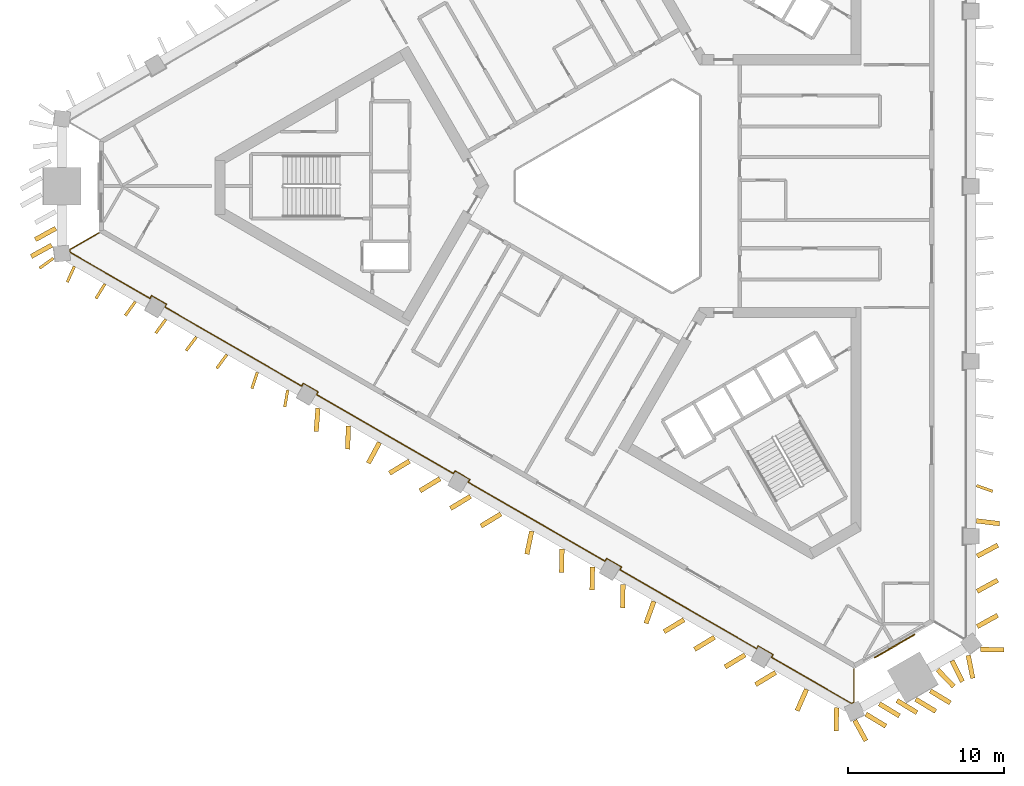
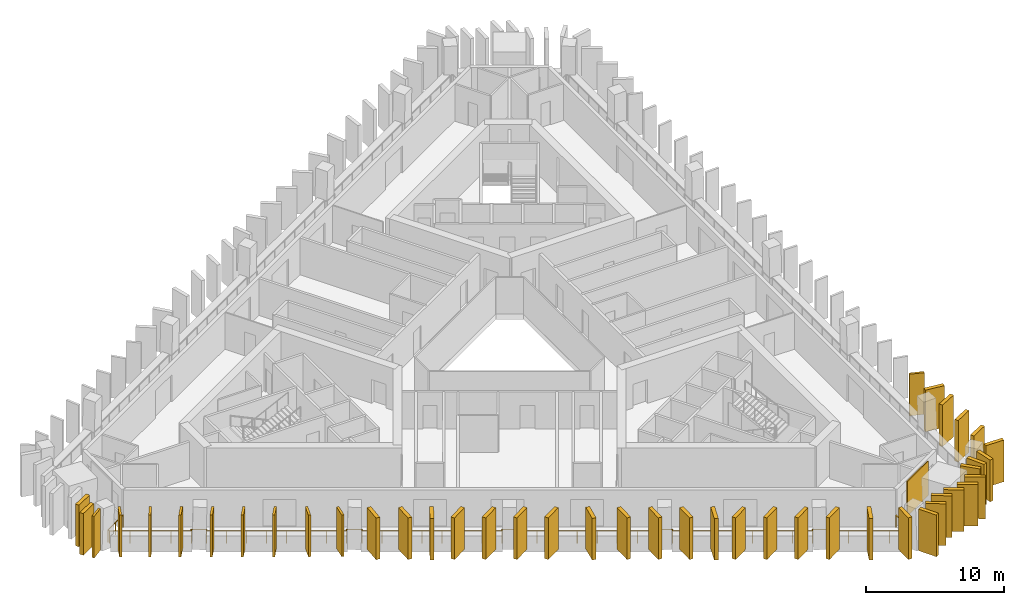
# One storey, part 8 of 11: 44 shading devices, 1 covering, 1 railing.
"""IFC4 building model written with IfcOpenShell, lengths in metres."""

from ifc_helpers import new_model, si_unit, direction, frame, frame_2d, origin, origin_2d, place, context, subcontext, project, spatial, rectangle, circle, extrude, material, layer, layer_set, type_object, element, save


model = new_model("IFC4")

# Units and contexts
model_context = context("Model", 3, precision=1e-05, world=origin(), true_north=direction((0.0, 1.0)))
body_context = subcontext(model_context, "Body", "Model", "MODEL_VIEW")
ifc_project = project(units=[si_unit("LENGTHUNIT", "METRE"), si_unit("AREAUNIT", "SQUARE_METRE"), si_unit("VOLUMEUNIT", "CUBIC_METRE"), si_unit("PLANEANGLEUNIT", "RADIAN"), si_unit("MASSUNIT", "GRAM", prefix="KILO")], contexts=[model_context])

# Site, building, storey
site_placement = place(None, origin())
site = spatial("IfcSite", under=ifc_project, at=site_placement, CompositionType="ELEMENT")
building_placement = place(site_placement, origin())
building = spatial("IfcBuilding", under=site, at=building_placement, Name="Jabali Bay Hotel Tower and Convention Centre", CompositionType="ELEMENT")
storey_placement = place(building_placement, frame((0.0, 0.0, 132.699951171875)))
storey = spatial("IfcBuildingStorey", under=building, at=storey_placement, Name="L32", CompositionType="ELEMENT", Elevation=132.699951171875)

# Railing
ifc_material_1 = material(Name="Glass", Category="glass")
railing_type = type_object("IfcRailingType", Name="Loggia glass guard 1100", PredefinedType="BALUSTRADE", material=ifc_material_1)
railing_placement = place(storey_placement, frame((89.426513671875, 49.008056640625, 0.0)))
element("IfcRailing", 1, at=railing_placement, inside=storey, type_object=railing_type, Name="Loggia glass guard L32", PredefinedType="BALUSTRADE", context=body_context, shape_type="SweptSolid", body=[
    extrude(circle(Radius=0.02490234375, at=origin_2d()), frame((0.0, 0.0, 1.0751953125), z_axis=(0.0, -1.0, 0.0), x_axis=(0.991444861374, 0.0, 0.13052619222)), (0.0, 0.0, 1.0), 2.165283203125),
    extrude(circle(Radius=0.02490234375, at=origin_2d()), frame((0.0, -2.165283203125, 1.0751953125), z_axis=(-0.918657809016, -0.395054211386, 0.0), x_axis=(0.391674467843, -0.91079856411, 0.13052619222)), (0.0, 0.0, 1.0), 0.15576171875),
    extrude(circle(Radius=0.02490234375, at=origin_2d()), frame((-0.14306640625, -2.226806640625, 1.0751953125), z_axis=(-0.866028835743, 0.499994055626, 0.0), x_axis=(-0.495716537168, -0.858619838999, 0.13052619222)), (0.0, 0.0, 1.0), 5.939453125),
    extrude(circle(Radius=0.02490234375, at=origin_2d()), frame((-5.286865234375, 0.742919921875, 1.0751953125), z_axis=(0.499158860599, 0.866510491504, 0.0), x_axis=(-0.859097374128, 0.49488848735, 0.13052619222)), (0.0, 0.0, 1.0), 0.199951171875),
    extrude(circle(Radius=0.02490234375, at=origin_2d()), frame((-5.18701171875, 0.916259765625, 1.0751953125), z_axis=(-0.866104278045, 0.499863360881, 0.0), x_axis=(-0.495586960535, -0.858694635882, 0.13052619222)), (0.0, 0.0, 1.0), 1.099853515625),
    extrude(circle(Radius=0.02490234375, at=origin_2d()), frame((-6.1396484375, 1.466064453125, 1.0751953125), z_axis=(-0.499687197852, -0.866205924883, 0.0), x_axis=(0.858795413117, -0.495412304605, 0.13052619222)), (0.0, 0.0, 1.0), 0.199951171875),
    extrude(circle(Radius=0.02490234375, at=origin_2d()), frame((-6.239501953125, 1.29296875, 1.0751953125), z_axis=(-0.866020472551, 0.500008541049, 0.0), x_axis=(-0.495730898666, -0.858611547355, 0.13052619222)), (0.0, 0.0, 1.0), 10.144775390625),
    extrude(circle(Radius=0.02490234375, at=origin_2d()), frame((-15.025146484375, 6.365478515625, 1.0751953125), z_axis=(0.499687197852, 0.866205924883, 0.0), x_axis=(-0.858795413117, 0.495412304605, 0.13052619222)), (0.0, 0.0, 1.0), 0.199951171875),
    extrude(circle(Radius=0.02490234375, at=origin_2d()), frame((-14.92529296875, 6.53857421875, 1.0751953125), z_axis=(-0.866008176907, 0.50002983664, 0.0), x_axis=(-0.495752012071, -0.858599356902, 0.13052619222)), (0.0, 0.0, 1.0), 1.10009765625),
    extrude(circle(Radius=0.02490234375, at=origin_2d()), frame((-15.8779296875, 7.088623046875, 1.0751953125), z_axis=(-0.499158860599, -0.866510491504, 0.0), x_axis=(0.859097374128, -0.49488848735, 0.13052619222)), (0.0, 0.0, 1.0), 0.199951171875),
    extrude(circle(Radius=0.02490234375, at=origin_2d()), frame((-15.977783203125, 6.915283203125, 1.0751953125), z_axis=(-0.866020472551, 0.500008541049, 0.0), x_axis=(-0.495730898666, -0.858611547355, 0.13052619222)), (0.0, 0.0, 1.0), 10.144775390625),
    extrude(circle(Radius=0.02490234375, at=origin_2d()), frame((-24.763427734375, 11.98779296875, 1.0751953125), z_axis=(0.499687197852, 0.866205924883, 0.0), x_axis=(-0.858795413117, 0.495412304605, 0.13052619222)), (0.0, 0.0, 1.0), 0.199951171875),
    extrude(circle(Radius=0.02490234375, at=origin_2d()), frame((-24.66357421875, 12.160888671875, 1.0751953125), z_axis=(-0.866008176907, 0.50002983664, 0.0), x_axis=(-0.495752012071, -0.858599356902, 0.13052619222)), (0.0, 0.0, 1.0), 1.10009765625),
    extrude(circle(Radius=0.02490234375, at=origin_2d()), frame((-25.6162109375, 12.7109375, 1.0751953125), z_axis=(-0.499687197852, -0.866205924883, 0.0), x_axis=(0.858795413117, -0.495412304605, 0.13052619222)), (0.0, 0.0, 1.0), 0.199951171875),
    extrude(circle(Radius=0.02490234375, at=origin_2d()), frame((-25.716064453125, 12.537841796875, 1.0751953125), z_axis=(-0.866030893267, 0.499990491817, 0.0), x_axis=(-0.495713003847, -0.858621878921, 0.13052619222)), (0.0, 0.0, 1.0), 10.144775390625),
    extrude(circle(Radius=0.02490234375, at=origin_2d()), frame((-34.501708984375, 17.610107421875, 1.0751953125), z_axis=(0.499158860599, 0.866510491504, 0.0), x_axis=(-0.859097374128, 0.49488848735, 0.13052619222)), (0.0, 0.0, 1.0), 0.199951171875),
    extrude(circle(Radius=0.02490234375, at=origin_2d()), frame((-34.40185546875, 17.783447265625, 1.0751953125), z_axis=(-0.866104278045, 0.499863360881, 0.0), x_axis=(-0.495586960535, -0.858694635882, 0.13052619222)), (0.0, 0.0, 1.0), 1.099853515625),
    extrude(circle(Radius=0.02490234375, at=origin_2d()), frame((-35.3544921875, 18.333251953125, 1.0751953125), z_axis=(-0.499687197852, -0.866205924883, 0.0), x_axis=(0.858795413117, -0.495412304605, 0.13052619222)), (0.0, 0.0, 1.0), 0.199951171875),
    extrude(circle(Radius=0.02490234375, at=origin_2d()), frame((-35.454345703125, 18.16015625, 1.0751953125), z_axis=(-0.866020472551, 0.500008541049, 0.0), x_axis=(-0.495730898666, -0.858611547355, 0.13052619222)), (0.0, 0.0, 1.0), 10.144775390625),
    extrude(circle(Radius=0.02490234375, at=origin_2d()), frame((-44.239990234375, 23.232666015625, 1.0751953125), z_axis=(0.499687197852, 0.866205924883, 0.0), x_axis=(-0.858795413117, 0.495412304605, 0.13052619222)), (0.0, 0.0, 1.0), 0.199951171875),
    extrude(circle(Radius=0.02490234375, at=origin_2d()), frame((-44.14013671875, 23.40576171875, 1.0751953125), z_axis=(-0.866008176907, 0.50002983664, 0.0), x_axis=(-0.495752012071, -0.858599356902, 0.13052619222)), (0.0, 0.0, 1.0), 1.10009765625),
    extrude(circle(Radius=0.02490234375, at=origin_2d()), frame((-45.0927734375, 23.955810546875, 1.0751953125), z_axis=(-0.499158860599, -0.866510491504, 0.0), x_axis=(0.859097374128, -0.49488848735, 0.13052619222)), (0.0, 0.0, 1.0), 0.199951171875),
    extrude(circle(Radius=0.02490234375, at=origin_2d()), frame((-45.192626953125, 23.782470703125, 1.0751953125), z_axis=(-0.866011036969, 0.500024883228, 0.0), x_axis=(-0.495747101036, -0.858602192496, 0.13052619222)), (0.0, 0.0, 1.0), 5.939697265625),
    extrude(circle(Radius=0.02490234375, at=origin_2d()), frame((-50.33642578125, 26.75244140625, 1.0751953125), z_axis=(-0.117660413428, 0.993053889329, 0.0), x_axis=(-0.984558175643, -0.11665381228, 0.13052619222)), (0.0, 0.0, 1.0), 0.155517578125),
    extrude(circle(Radius=0.02490234375, at=origin_2d()), frame((-50.354736328125, 26.906982421875, 1.0751953125), z_axis=(0.866007213464, 0.500031505235, 0.0), x_axis=(-0.495753666391, 0.858598401702, 0.13052619222)), (0.0, 0.0, 1.0), 2.165283203125),
    extrude(circle(Radius=0.02001953125, at=origin_2d()), origin(), (0.0, 0.0, 1.0), 1.050048828125),
    extrude(circle(Radius=0.02001953125, at=origin_2d()), frame((0.0, -1.08251953125, 0.0)), (0.0, 0.0, 1.0), 1.050048828125),
    extrude(circle(Radius=0.02001953125, at=origin_2d()), frame((0.0, -2.165283203125, 0.0)), (0.0, 0.0, 1.0), 1.050048828125),
    extrude(circle(Radius=0.02001953125, at=origin_2d()), frame((-0.14306640625, -2.226806640625, 0.0)), (0.0, 0.0, 1.0), 1.050048828125),
    extrude(circle(Radius=0.02001953125, at=origin_2d()), frame((-1.428955078125, -1.484375, 0.0)), (0.0, 0.0, 1.0), 1.050048828125),
    extrude(circle(Radius=0.02001953125, at=origin_2d()), frame((-2.71484375, -0.741943359375, 0.0)), (0.0, 0.0, 1.0), 1.050048828125),
    extrude(circle(Radius=0.02001953125, at=origin_2d()), frame((-4.0009765625, 0.00048828125, 0.0)), (0.0, 0.0, 1.0), 1.050048828125),
    extrude(circle(Radius=0.02001953125, at=origin_2d()), frame((-5.286865234375, 0.742919921875, 0.0)), (0.0, 0.0, 1.0), 1.050048828125),
    extrude(circle(Radius=0.02001953125, at=origin_2d()), frame((-5.18701171875, 0.916259765625, 0.0)), (0.0, 0.0, 1.0), 1.050048828125),
    extrude(circle(Radius=0.02001953125, at=origin_2d()), frame((-6.1396484375, 1.466064453125, 0.0)), (0.0, 0.0, 1.0), 1.050048828125),
    extrude(circle(Radius=0.02001953125, at=origin_2d()), frame((-6.239501953125, 1.29296875, 0.0)), (0.0, 0.0, 1.0), 1.050048828125),
    extrude(circle(Radius=0.02001953125, at=origin_2d()), frame((-7.49462890625, 2.017578125, 0.0)), (0.0, 0.0, 1.0), 1.050048828125),
    extrude(circle(Radius=0.02001953125, at=origin_2d()), frame((-8.749755859375, 2.7421875, 0.0)), (0.0, 0.0, 1.0), 1.050048828125),
    extrude(circle(Radius=0.02001953125, at=origin_2d()), frame((-10.0048828125, 3.466796875, 0.0)), (0.0, 0.0, 1.0), 1.050048828125),
    extrude(circle(Radius=0.02001953125, at=origin_2d()), frame((-11.259765625, 4.191650390625, 0.0)), (0.0, 0.0, 1.0), 1.050048828125),
    extrude(circle(Radius=0.02001953125, at=origin_2d()), frame((-12.514892578125, 4.916259765625, 0.0)), (0.0, 0.0, 1.0), 1.050048828125),
    extrude(circle(Radius=0.02001953125, at=origin_2d()), frame((-13.77001953125, 5.640869140625, 0.0)), (0.0, 0.0, 1.0), 1.050048828125),
    extrude(circle(Radius=0.02001953125, at=origin_2d()), frame((-15.025146484375, 6.365478515625, 0.0)), (0.0, 0.0, 1.0), 1.050048828125),
    extrude(circle(Radius=0.02001953125, at=origin_2d()), frame((-14.92529296875, 6.53857421875, 0.0)), (0.0, 0.0, 1.0), 1.050048828125),
    extrude(circle(Radius=0.02001953125, at=origin_2d()), frame((-15.8779296875, 7.088623046875, 0.0)), (0.0, 0.0, 1.0), 1.050048828125),
    extrude(circle(Radius=0.02001953125, at=origin_2d()), frame((-15.977783203125, 6.915283203125, 0.0)), (0.0, 0.0, 1.0), 1.050048828125),
    extrude(circle(Radius=0.02001953125, at=origin_2d()), frame((-17.23291015625, 7.639892578125, 0.0)), (0.0, 0.0, 1.0), 1.050048828125),
    extrude(circle(Radius=0.02001953125, at=origin_2d()), frame((-18.488037109375, 8.364501953125, 0.0)), (0.0, 0.0, 1.0), 1.050048828125),
    extrude(circle(Radius=0.02001953125, at=origin_2d()), frame((-19.7431640625, 9.089111328125, 0.0)), (0.0, 0.0, 1.0), 1.050048828125),
    extrude(circle(Radius=0.02001953125, at=origin_2d()), frame((-20.998046875, 9.81396484375, 0.0)), (0.0, 0.0, 1.0), 1.050048828125),
    extrude(circle(Radius=0.02001953125, at=origin_2d()), frame((-22.253173828125, 10.53857421875, 0.0)), (0.0, 0.0, 1.0), 1.050048828125),
    extrude(circle(Radius=0.02001953125, at=origin_2d()), frame((-23.50830078125, 11.26318359375, 0.0)), (0.0, 0.0, 1.0), 1.050048828125),
    extrude(circle(Radius=0.02001953125, at=origin_2d()), frame((-24.763427734375, 11.98779296875, 0.0)), (0.0, 0.0, 1.0), 1.050048828125),
    extrude(circle(Radius=0.02001953125, at=origin_2d()), frame((-24.66357421875, 12.160888671875, 0.0)), (0.0, 0.0, 1.0), 1.050048828125),
    extrude(circle(Radius=0.02001953125, at=origin_2d()), frame((-25.6162109375, 12.7109375, 0.0)), (0.0, 0.0, 1.0), 1.050048828125),
    extrude(circle(Radius=0.02001953125, at=origin_2d()), frame((-25.716064453125, 12.537841796875, 0.0)), (0.0, 0.0, 1.0), 1.050048828125),
    extrude(circle(Radius=0.02001953125, at=origin_2d()), frame((-26.97119140625, 13.262451171875, 0.0)), (0.0, 0.0, 1.0), 1.050048828125),
    extrude(circle(Radius=0.02001953125, at=origin_2d()), frame((-28.226318359375, 13.987060546875, 0.0)), (0.0, 0.0, 1.0), 1.050048828125),
    extrude(circle(Radius=0.02001953125, at=origin_2d()), frame((-29.4814453125, 14.711669921875, 0.0)), (0.0, 0.0, 1.0), 1.050048828125),
    extrude(circle(Radius=0.02001953125, at=origin_2d()), frame((-30.736328125, 15.436279296875, 0.0)), (0.0, 0.0, 1.0), 1.050048828125),
    extrude(circle(Radius=0.02001953125, at=origin_2d()), frame((-31.991455078125, 16.160888671875, 0.0)), (0.0, 0.0, 1.0), 1.050048828125),
    extrude(circle(Radius=0.02001953125, at=origin_2d()), frame((-33.24658203125, 16.885498046875, 0.0)), (0.0, 0.0, 1.0), 1.050048828125),
    extrude(circle(Radius=0.02001953125, at=origin_2d()), frame((-34.501708984375, 17.610107421875, 0.0)), (0.0, 0.0, 1.0), 1.050048828125),
    extrude(circle(Radius=0.02001953125, at=origin_2d()), frame((-34.40185546875, 17.783447265625, 0.0)), (0.0, 0.0, 1.0), 1.050048828125),
    extrude(circle(Radius=0.02001953125, at=origin_2d()), frame((-35.3544921875, 18.333251953125, 0.0)), (0.0, 0.0, 1.0), 1.050048828125),
    extrude(circle(Radius=0.02001953125, at=origin_2d()), frame((-35.454345703125, 18.16015625, 0.0)), (0.0, 0.0, 1.0), 1.050048828125),
    extrude(circle(Radius=0.02001953125, at=origin_2d()), frame((-36.70947265625, 18.884765625, 0.0)), (0.0, 0.0, 1.0), 1.050048828125),
    extrude(circle(Radius=0.02001953125, at=origin_2d()), frame((-37.964599609375, 19.609375, 0.0)), (0.0, 0.0, 1.0), 1.050048828125),
    extrude(circle(Radius=0.02001953125, at=origin_2d()), frame((-39.2197265625, 20.333984375, 0.0)), (0.0, 0.0, 1.0), 1.050048828125),
    extrude(circle(Radius=0.02001953125, at=origin_2d()), frame((-40.474609375, 21.058837890625, 0.0)), (0.0, 0.0, 1.0), 1.050048828125),
    extrude(circle(Radius=0.02001953125, at=origin_2d()), frame((-41.729736328125, 21.783447265625, 0.0)), (0.0, 0.0, 1.0), 1.050048828125),
    extrude(circle(Radius=0.02001953125, at=origin_2d()), frame((-42.98486328125, 22.508056640625, 0.0)), (0.0, 0.0, 1.0), 1.050048828125),
    extrude(circle(Radius=0.02001953125, at=origin_2d()), frame((-44.239990234375, 23.232666015625, 0.0)), (0.0, 0.0, 1.0), 1.050048828125),
    extrude(circle(Radius=0.02001953125, at=origin_2d()), frame((-44.14013671875, 23.40576171875, 0.0)), (0.0, 0.0, 1.0), 1.050048828125),
    extrude(circle(Radius=0.02001953125, at=origin_2d()), frame((-45.0927734375, 23.955810546875, 0.0)), (0.0, 0.0, 1.0), 1.050048828125),
    extrude(circle(Radius=0.02001953125, at=origin_2d()), frame((-45.192626953125, 23.782470703125, 0.0)), (0.0, 0.0, 1.0), 1.050048828125),
    extrude(circle(Radius=0.02001953125, at=origin_2d()), frame((-46.478515625, 24.52490234375, 0.0)), (0.0, 0.0, 1.0), 1.050048828125),
    extrude(circle(Radius=0.02001953125, at=origin_2d()), frame((-47.7646484375, 25.267578125, 0.0)), (0.0, 0.0, 1.0), 1.050048828125),
    extrude(circle(Radius=0.02001953125, at=origin_2d()), frame((-49.050537109375, 26.010009765625, 0.0)), (0.0, 0.0, 1.0), 1.050048828125),
    extrude(circle(Radius=0.02001953125, at=origin_2d()), frame((-50.33642578125, 26.75244140625, 0.0)), (0.0, 0.0, 1.0), 1.050048828125),
    extrude(circle(Radius=0.02001953125, at=origin_2d()), frame((-50.354736328125, 26.906982421875, 0.0)), (0.0, 0.0, 1.0), 1.050048828125),
    extrude(circle(Radius=0.02001953125, at=origin_2d()), frame((-49.4169921875, 27.4482421875, 0.0)), (0.0, 0.0, 1.0), 1.050048828125),
    extrude(circle(Radius=0.02001953125, at=origin_2d()), frame((-48.4794921875, 27.98974609375, 0.0)), (0.0, 0.0, 1.0), 1.050048828125),
])

# Shading devices
ifc_material_2 = material(Name="Precast concrete C60", Category="concrete")
ifc_layer_1 = layer(ifc_material_2, 0.179931640625)
ifc_layer_set_1 = layer_set([ifc_layer_1], Name="Precast concrete C60")
shading_device_type_1 = type_object("IfcShadingDeviceType", Name="Precast fin 3680 x 1100", PredefinedType="USERDEFINED", material=ifc_layer_set_1)
shading_device_1_placement = place(storey_placement, frame((97.299072265625, 60.774169921875, 0.010009765625), z_axis=(0.0, 0.0, 1.0), x_axis=(0.942941147741, -0.332959444824, 0.0)))
element("IfcShadingDevice", 2, at=shading_device_1_placement, inside=storey, type_object=shading_device_type_1, Name="Fin L32 004", ObjectType="FIN", PredefinedType="USERDEFINED", context=body_context, shape_type="SweptSolid", body=[
    extrude(rectangle(XDim=1.099853515625, YDim=0.179931640625, at=frame_2d((0.5498046875, 0.0))), origin(), (0.0, 0.0, 1.0), 3.679931640625),
])
for number, where, z_axis, x_axis, name in (
    (3, (39.37548828125, 74.84326171875, 0.010009765625), (0.0, 0.0, 1.0), (-0.409450935536, -0.912332138746, 0.0), "Fin L32 068"),
    (4, (41.337890625, 73.71826171875, 0.010009765625), (0.0, 0.0, 1.0), (-0.522015481501, -0.852936009952, 0.0), "Fin L32 069"),
    (5, (43.293212890625, 72.581298828125, 0.010009765625), (0.0, 0.0, 1.0), (-0.586745724409, -0.809771236145, 0.0), "Fin L32 070"),
):
    element("IfcShadingDevice", number, at=place(storey_placement, frame(where, z_axis=z_axis, x_axis=x_axis)), inside=storey, type_object=shading_device_type_1, Name=name, ObjectType="FIN", PredefinedType="USERDEFINED", context=body_context, shape_type="SweptSolid", body=[
        extrude(rectangle(XDim=1.10009765625, YDim=0.179931640625, at=frame_2d((0.550048828125, 0.0))), origin(), (0.0, 0.0, 1.0), 3.679931640625),
    ])
shading_device_2_placement = place(storey_placement, frame((45.251708984375, 71.449951171875, 0.010009765625), z_axis=(0.0, 0.0, 1.0), x_axis=(-0.589543444377, -0.807736669461, 0.0)))
element("IfcShadingDevice", 6, at=shading_device_2_placement, inside=storey, type_object=shading_device_type_1, Name="Fin L32 071", ObjectType="FIN", PredefinedType="USERDEFINED", context=body_context, shape_type="SweptSolid", body=[
    extrude(rectangle(XDim=1.099853515625, YDim=0.179931640625, at=frame_2d((0.5498046875, 0.0))), origin(), (0.0, 0.0, 1.0), 3.679931640625),
])
shading_device_3_placement = place(storey_placement, frame((47.210205078125, 70.318359375, 0.010009765625), z_axis=(0.0, 0.0, 1.0), x_axis=(-0.597618413137, -0.801780663448, 0.0)))
element("IfcShadingDevice", 7, at=shading_device_3_placement, inside=storey, type_object=shading_device_type_1, Name="Fin L32 072", ObjectType="FIN", PredefinedType="USERDEFINED", context=body_context, shape_type="SweptSolid", body=[
    extrude(rectangle(XDim=1.10009765625, YDim=0.179931640625, at=frame_2d((0.550048828125, 0.0))), origin(), (0.0, 0.0, 1.0), 3.679931640625),
])
for number, where, z_axis, x_axis, name in (
    (8, (49.16943359375, 69.18798828125, 0.010009765625), (0.0, 0.0, 1.0), (-0.590189091773, -0.807265034516, 0.0), "Fin L32 073"),
    (9, (51.1240234375, 68.049560546875, 0.010009765625), (0.0, 0.0, 1.0), (-0.312963089043, -0.949765289372, 0.0), "Fin L32 074"),
    (10, (53.07666015625, 66.907958984375, 0.010009765625), (0.0, 0.0, 1.0), (-0.174684283049, -0.984624497591, 0.0), "Fin L32 075"),
):
    element("IfcShadingDevice", number, at=place(storey_placement, frame(where, z_axis=z_axis, x_axis=x_axis)), inside=storey, type_object=shading_device_type_1, Name=name, ObjectType="FIN", PredefinedType="USERDEFINED", context=body_context, shape_type="SweptSolid", body=[
        extrude(rectangle(XDim=1.099853515625, YDim=0.179931640625, at=frame_2d((0.5498046875, 0.0))), origin(), (0.0, 0.0, 1.0), 3.679931640625),
    ])
shading_device_4_placement = place(storey_placement, frame((38.034912109375, 75.374267578125, 0.010009765625), z_axis=(0.0, 0.0, 1.0), x_axis=(-0.810889840857, -0.585198826037, 0.0)))
element("IfcShadingDevice", 11, at=shading_device_4_placement, inside=storey, type_object=shading_device_type_1, Name="Fin L32 106", ObjectType="FIN", PredefinedType="USERDEFINED", context=body_context, shape_type="SweptSolid", body=[
    extrude(rectangle(XDim=1.10009765625, YDim=0.179931640625, at=frame_2d((0.550048828125, 0.0))), origin(), (0.0, 0.0, 1.0), 3.679931640625),
])
ifc_layer_2 = layer(ifc_material_2, 0.300048828125)
ifc_layer_set_2 = layer_set([ifc_layer_2], Name="Precast concrete C60")
shading_device_type_2 = type_object("IfcShadingDeviceType", Name="Precast fin 3680 x 1500", PredefinedType="USERDEFINED", material=ifc_layer_set_2)
shading_device_5_placement = place(storey_placement, frame((97.34130859375, 51.726806640625, 0.010009765625), z_axis=(0.0, 0.0, 1.0), x_axis=(0.876542194443, 0.481325026735, 0.0)))
element("IfcShadingDevice", 12, at=shading_device_5_placement, inside=storey, type_object=shading_device_type_2, Name="Fin L32 000", ObjectType="FIN", PredefinedType="USERDEFINED", context=body_context, shape_type="SweptSolid", body=[
    extrude(rectangle(XDim=1.499755859375, YDim=0.300048828125, at=frame_2d((0.75, 0.0))), origin(), (0.0, 0.0, 1.0), 3.679931640625),
])
shading_device_6_placement = place(storey_placement, frame((97.3408203125, 53.988525390625, 0.010009765625), z_axis=(0.0, 0.0, 1.0), x_axis=(0.878013718309, 0.4786354672, 0.0)))
element("IfcShadingDevice", 13, at=shading_device_6_placement, inside=storey, type_object=shading_device_type_2, Name="Fin L32 001", ObjectType="FIN", PredefinedType="USERDEFINED", context=body_context, shape_type="SweptSolid", body=[
    extrude(rectangle(XDim=1.500244140625, YDim=0.300048828125, at=frame_2d((0.75, 0.0))), origin(), (0.0, 0.0, 1.0), 3.679931640625),
])
shading_device_7_placement = place(storey_placement, frame((97.339111328125, 56.25048828125, 0.010009765625), z_axis=(0.0, 0.0, 1.0), x_axis=(0.884005580916, 0.46747634476, 0.0)))
element("IfcShadingDevice", 14, at=shading_device_7_placement, inside=storey, type_object=shading_device_type_2, Name="Fin L32 002", ObjectType="FIN", PredefinedType="USERDEFINED", context=body_context, shape_type="SweptSolid", body=[
    extrude(rectangle(XDim=1.5, YDim=0.300048828125, at=frame_2d((0.75, 0.0))), origin(), (0.0, 0.0, 1.0), 3.679931640625),
])
shading_device_8_placement = place(storey_placement, frame((97.287109375, 58.512451171875, 0.010009765625), z_axis=(0.0, 0.0, 1.0), x_axis=(0.992758508576, -0.120127197791, 0.0)))
element("IfcShadingDevice", 15, at=shading_device_8_placement, inside=storey, type_object=shading_device_type_2, Name="Fin L32 003", ObjectType="FIN", PredefinedType="USERDEFINED", context=body_context, shape_type="SweptSolid", body=[
    extrude(rectangle(XDim=1.499755859375, YDim=0.300048828125, at=frame_2d((0.75, 0.0))), origin(), (0.0, 0.0, 1.0), 3.679931640625),
])
shading_device_9_placement = place(storey_placement, frame((38.187744140625, 77.293701171875, 0.010009765625), z_axis=(0.0, 0.0, 1.0), x_axis=(-0.875947742748, -0.482406003253, 0.0)))
element("IfcShadingDevice", 16, at=shading_device_9_placement, inside=storey, type_object=shading_device_type_2, Name="Fin L32 066", ObjectType="FIN", PredefinedType="USERDEFINED", context=body_context, shape_type="SweptSolid", body=[
    extrude(rectangle(XDim=1.5, YDim=0.300048828125, at=frame_2d((0.75, 0.0))), origin(), (0.0, 0.0, 1.0), 3.679931640625),
])
for number, where, z_axis, x_axis, name in (
    (17, (37.9228515625, 76.211181640625, 0.010009765625), (0.0, 0.0, 1.0), (-0.875985610284, -0.482337237392, 0.0), "Fin L32 067"),
    (18, (55.018310546875, 65.74755859375, 0.010009765625), (0.0, 0.0, 1.0), (-0.075837767119, -0.997120169828, 0.0), "Fin L32 076"),
):
    element("IfcShadingDevice", number, at=place(storey_placement, frame(where, z_axis=z_axis, x_axis=x_axis)), inside=storey, type_object=shading_device_type_2, Name=name, ObjectType="FIN", PredefinedType="USERDEFINED", context=body_context, shape_type="SweptSolid", body=[
        extrude(rectangle(XDim=1.500244140625, YDim=0.300048828125, at=frame_2d((0.75, 0.0))), origin(), (0.0, 0.0, 1.0), 3.679931640625),
    ])
for number, where, z_axis, x_axis, name in (
    (19, (56.974365234375, 64.61181640625, 0.010009765625), (0.0, 0.0, 1.0), (-0.035645086014, -0.999364511999, 0.0), "Fin L32 077"),
    (20, (58.96630859375, 63.5380859375, 0.010009765625), (0.0, 0.0, 1.0), (-0.475758723949, -0.87957582765, 0.0), "Fin L32 078"),
    (21, (60.89111328125, 62.348388671875, 0.010009765625), (0.0, 0.0, 1.0), (-0.855143172533, -0.518391892752, 0.0), "Fin L32 079"),
    (22, (62.849853515625, 61.21728515625, 0.010009765625), (0.0, 0.0, 1.0), (-0.855519053151, -0.517771329542, 0.0), "Fin L32 080"),
    (23, (64.808837890625, 60.08642578125, 0.010009765625), (0.0, 0.0, 1.0), (-0.855634763077, -0.51758009256, 0.0), "Fin L32 081"),
):
    element("IfcShadingDevice", number, at=place(storey_placement, frame(where, z_axis=z_axis, x_axis=x_axis)), inside=storey, type_object=shading_device_type_2, Name=name, ObjectType="FIN", PredefinedType="USERDEFINED", context=body_context, shape_type="SweptSolid", body=[
        extrude(rectangle(XDim=1.5, YDim=0.300048828125, at=frame_2d((0.75, 0.0))), origin(), (0.0, 0.0, 1.0), 3.679931640625),
    ])
shading_device_10_placement = place(storey_placement, frame((66.767578125, 58.955322265625, 0.010009765625), z_axis=(0.0, 0.0, 1.0), x_axis=(-0.855706841124, -0.517460918382, 0.0)))
element("IfcShadingDevice", 24, at=shading_device_10_placement, inside=storey, type_object=shading_device_type_2, Name="Fin L32 082", ObjectType="FIN", PredefinedType="USERDEFINED", context=body_context, shape_type="SweptSolid", body=[
    extrude(rectangle(XDim=1.499755859375, YDim=0.300048828125, at=frame_2d((0.75, 0.0))), origin(), (0.0, 0.0, 1.0), 3.679931640625),
])
for number, where, z_axis, x_axis, name in (
    (25, (68.7392578125, 57.8466796875, 0.010009765625), (0.0, 0.0, 1.0), (-0.204747115207, -0.978814905288, 0.0), "Fin L32 083"),
    (26, (70.685302734375, 56.693603515625, 0.010009765625), (0.0, 0.0, 1.0), (-0.020344152619, -0.99979303631, 0.0), "Fin L32 084"),
    (27, (72.64404296875, 55.562744140625, 0.010009765625), (0.0, 0.0, 1.0), (-0.020344152619, -0.99979303631, 0.0), "Fin L32 085"),
):
    element("IfcShadingDevice", number, at=place(storey_placement, frame(where, z_axis=z_axis, x_axis=x_axis)), inside=storey, type_object=shading_device_type_2, Name=name, ObjectType="FIN", PredefinedType="USERDEFINED", context=body_context, shape_type="SweptSolid", body=[
        extrude(rectangle(XDim=1.5, YDim=0.300048828125, at=frame_2d((0.75, 0.0))), origin(), (0.0, 0.0, 1.0), 3.679931640625),
    ])
shading_device_11_placement = place(storey_placement, frame((74.602783203125, 54.431640625, 0.010009765625), z_axis=(0.0, 0.0, 1.0), x_axis=(-0.020184750428, -0.999796267172, 0.0)))
element("IfcShadingDevice", 28, at=shading_device_11_placement, inside=storey, type_object=shading_device_type_2, Name="Fin L32 086", ObjectType="FIN", PredefinedType="USERDEFINED", context=body_context, shape_type="SweptSolid", body=[
    extrude(rectangle(XDim=1.499755859375, YDim=0.300048828125, at=frame_2d((0.75, 0.0))), origin(), (0.0, 0.0, 1.0), 3.679931640625),
])
for number, where, z_axis, x_axis, name in (
    (29, (76.584716796875, 53.340576171875, 0.010009765625), (0.0, 0.0, 1.0), (-0.339180488662, -0.940721316922, 0.0), "Fin L32 087"),
    (30, (78.5205078125, 52.169921875, 0.010009765625), (0.0, 0.0, 1.0), (-0.855634763077, -0.51758009256, 0.0), "Fin L32 088"),
):
    element("IfcShadingDevice", number, at=place(storey_placement, frame(where, z_axis=z_axis, x_axis=x_axis)), inside=storey, type_object=shading_device_type_2, Name=name, ObjectType="FIN", PredefinedType="USERDEFINED", context=body_context, shape_type="SweptSolid", body=[
        extrude(rectangle(XDim=1.5, YDim=0.300048828125, at=frame_2d((0.75, 0.0))), origin(), (0.0, 0.0, 1.0), 3.679931640625),
    ])
for number, where, z_axis, x_axis, name in (
    (31, (80.479248046875, 51.038818359375, 0.010009765625), (0.0, 0.0, 1.0), (-0.855706841124, -0.517460918382, 0.0), "Fin L32 089"),
    (32, (82.438232421875, 49.907958984375, 0.010009765625), (0.0, 0.0, 1.0), (-0.855706841124, -0.517460918382, 0.0), "Fin L32 090"),
):
    element("IfcShadingDevice", number, at=place(storey_placement, frame(where, z_axis=z_axis, x_axis=x_axis)), inside=storey, type_object=shading_device_type_2, Name=name, ObjectType="FIN", PredefinedType="USERDEFINED", context=body_context, shape_type="SweptSolid", body=[
        extrude(rectangle(XDim=1.499755859375, YDim=0.300048828125, at=frame_2d((0.75, 0.0))), origin(), (0.0, 0.0, 1.0), 3.679931640625),
    ])
shading_device_12_placement = place(storey_placement, frame((84.39697265625, 48.777099609375, 0.010009765625), z_axis=(0.0, 0.0, 1.0), x_axis=(-0.855634763077, -0.51758009256, 0.0)))
element("IfcShadingDevice", 33, at=shading_device_12_placement, inside=storey, type_object=shading_device_type_2, Name="Fin L32 091", ObjectType="FIN", PredefinedType="USERDEFINED", context=body_context, shape_type="SweptSolid", body=[
    extrude(rectangle(XDim=1.5, YDim=0.300048828125, at=frame_2d((0.75, 0.0))), origin(), (0.0, 0.0, 1.0), 3.679931640625),
])
for number, where, z_axis, x_axis, name in (
    (34, (86.3837890625, 47.694580078125, 0.010009765625), (0.0, 0.0, 1.0), (-0.403191321234, -0.915115707701, 0.0), "Fin L32 092"),
    (35, (88.314697265625, 46.51513671875, 0.010009765625), (0.0, 0.0, 1.0), (-0.020347463549, -0.999792968933, 0.0), "Fin L32 093"),
):
    element("IfcShadingDevice", number, at=place(storey_placement, frame(where, z_axis=z_axis, x_axis=x_axis)), inside=storey, type_object=shading_device_type_2, Name=name, ObjectType="FIN", PredefinedType="USERDEFINED", context=body_context, shape_type="SweptSolid", body=[
        extrude(rectangle(XDim=1.499755859375, YDim=0.300048828125, at=frame_2d((0.75, 0.0))), origin(), (0.0, 0.0, 1.0), 3.679931640625),
    ])
for number, where, z_axis, x_axis, name in (
    (36, (90.1943359375, 46.10498046875, 0.010009765625), (0.0, 0.0, 1.0), (0.855634763077, -0.51758009256, 0.0), "Fin L32 094"),
    (37, (91.062255859375, 46.7666015625, 0.010009765625), (0.0, 0.0, 1.0), (0.855634763077, -0.51758009256, 0.0), "Fin L32 095"),
):
    element("IfcShadingDevice", number, at=place(storey_placement, frame(where, z_axis=z_axis, x_axis=x_axis)), inside=storey, type_object=shading_device_type_2, Name=name, ObjectType="FIN", PredefinedType="USERDEFINED", context=body_context, shape_type="SweptSolid", body=[
        extrude(rectangle(XDim=1.5, YDim=0.300048828125, at=frame_2d((0.75, 0.0))), origin(), (0.0, 0.0, 1.0), 3.679931640625),
    ])
for number, where, z_axis, x_axis, name in (
    (38, (92.1904296875, 46.9775390625, 0.010009765625), (0.0, 0.0, 1.0), (0.855706841124, -0.517460918382, 0.0), "Fin L32 096"),
    (39, (93.3935546875, 47.058837890625, 0.010009765625), (0.0, 0.0, 1.0), (0.855706841124, -0.517460918382, 0.0), "Fin L32 097"),
    (40, (94.3310546875, 47.60009765625, 0.010009765625), (0.0, 0.0, 1.0), (0.855706841124, -0.517460918382, 0.0), "Fin L32 098"),
):
    element("IfcShadingDevice", number, at=place(storey_placement, frame(where, z_axis=z_axis, x_axis=x_axis)), inside=storey, type_object=shading_device_type_2, Name=name, ObjectType="FIN", PredefinedType="USERDEFINED", context=body_context, shape_type="SweptSolid", body=[
        extrude(rectangle(XDim=1.499755859375, YDim=0.300048828125, at=frame_2d((0.75, 0.0))), origin(), (0.0, 0.0, 1.0), 3.679931640625),
    ])
shading_device_13_placement = place(storey_placement, frame((94.7939453125, 48.96337890625, 0.010009765625), z_axis=(0.0, 0.0, 1.0), x_axis=(0.69180992203, -0.722079657504, 0.0)))
element("IfcShadingDevice", 41, at=shading_device_13_placement, inside=storey, type_object=shading_device_type_2, Name="Fin L32 099", ObjectType="FIN", PredefinedType="USERDEFINED", context=body_context, shape_type="SweptSolid", body=[
    extrude(rectangle(XDim=1.500244140625, YDim=0.300048828125, at=frame_2d((0.75, 0.0))), origin(), (0.0, 0.0, 1.0), 3.679931640625),
])
for number, where, z_axis, x_axis, name in (
    (42, (95.7177734375, 49.528564453125, 0.010009765625), (0.0, 0.0, 1.0), (0.453323398433, -0.891346114836, 0.0), "Fin L32 100"),
    (43, (96.767578125, 49.875244140625, 0.010009765625), (0.0, 0.0, 1.0), (0.19173215685, -0.981447288462, 0.0), "Fin L32 101"),
    (44, (97.558837890625, 50.259521484375, 0.010009765625), (0.0, 0.0, 1.0), (0.999782986114, -0.020832202869, 0.0), "Fin L32 102"),
    (45, (89.4765625, 45.705810546875, 0.010009765625), (0.0, 0.0, 1.0), (0.482281109117, -0.876016513422, 0.0), "Fin L32 107"),
):
    element("IfcShadingDevice", number, at=place(storey_placement, frame(where, z_axis=z_axis, x_axis=x_axis)), inside=storey, type_object=shading_device_type_2, Name=name, ObjectType="FIN", PredefinedType="USERDEFINED", context=body_context, shape_type="SweptSolid", body=[
        extrude(rectangle(XDim=1.5, YDim=0.300048828125, at=frame_2d((0.75, 0.0))), origin(), (0.0, 0.0, 1.0), 3.679931640625),
    ])

# Covering
ifc_material_3 = material(Name="Precast concrete C40/50", Category="concrete")
ifc_layer_3 = layer(ifc_material_3, 0.080078125)
ifc_layer_set_3 = layer_set([ifc_layer_3], Name="Precast concrete C40/50")
covering_type = type_object("IfcCoveringType", Name="Relief panel 3000 x 3050", PredefinedType="CLADDING", material=ifc_layer_set_3)
covering_placement = place(storey_placement, frame((92.046630859375, 50.474609375, 0.10009765625), z_axis=(0.0, 0.0, 1.0), x_axis=(-0.866025454984, -0.49999991132, 0.0)))
element("IfcCovering", 46, at=covering_placement, inside=storey, type_object=covering_type, Name="Relief panel L32", PredefinedType="CLADDING", context=body_context, shape_type="SweptSolid", body=[
    extrude(rectangle(XDim=3.0, YDim=0.080078125, at=origin_2d()), origin(), (0.0, 0.0, 1.0), 3.050048828125),
])

save(model, "model.ifc")
